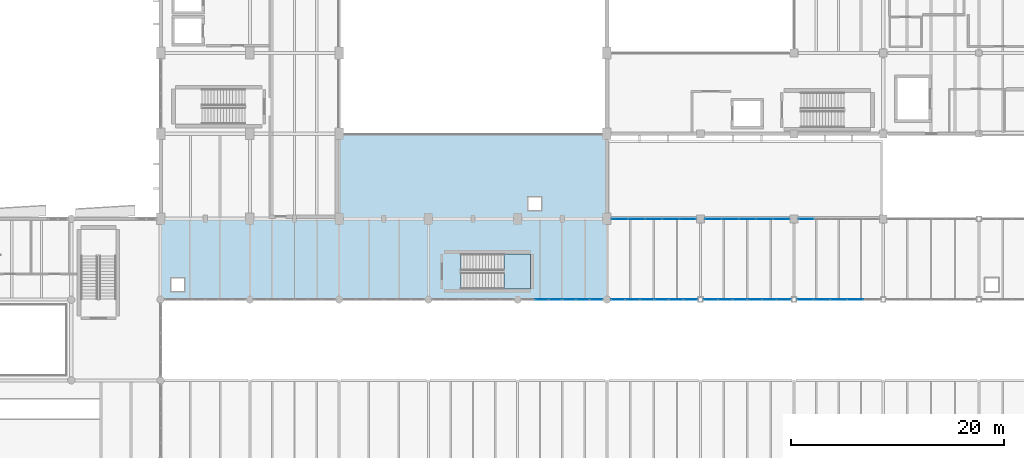
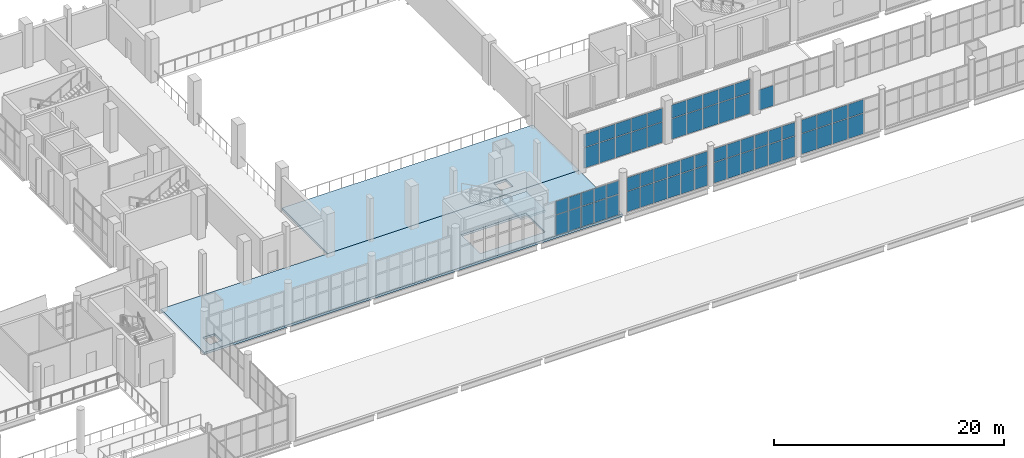
# One storey, part 103 of 136: 63 plates, 3 slabs, 9 elements without a shape of their own.
"""IFC4 building model written with IfcOpenShell, lengths in metres."""

from ifc_helpers import new_model, si_unit, direction, frame, origin, origin_2d, place, context, subcontext, project, spatial, polyline, rectangle, outline, extrude, material, layer, layer_set, type_object, element, aggregate, save


model = new_model("IFC4")

# Units and contexts
model_context = context("Model", 3, precision=1e-05, world=origin(), true_north=direction((0.0, 1.0)))
body_context = subcontext(model_context, "Body", "Model", "MODEL_VIEW")
ifc_project = project(units=[si_unit("LENGTHUNIT", "METRE"), si_unit("AREAUNIT", "SQUARE_METRE"), si_unit("VOLUMEUNIT", "CUBIC_METRE"), si_unit("PLANEANGLEUNIT", "RADIAN"), si_unit("MASSUNIT", "GRAM", prefix="KILO")], contexts=[model_context])

# Site, building, storey
site_placement = place(None, origin())
site = spatial("IfcSite", under=ifc_project, at=site_placement, CompositionType="ELEMENT")
building_placement = place(site_placement, origin())
building = spatial("IfcBuilding", under=site, at=building_placement, Name="Shengluoqiao Park Theatre", CompositionType="ELEMENT")
storey_placement = place(building_placement, frame((0.0, 0.0, 10.0)))
storey = spatial("IfcBuildingStorey", under=building, at=storey_placement, Name="L02", CompositionType="ELEMENT", Elevation=10.0)

# Curtain wall, plates
ifc_material_1 = material(Name="Aluminium 6063-T6", Category="aluminium")
curtain_wall_type_1 = type_object("IfcCurtainWallType", Name="ENV-CW-PROM", PredefinedType="NOTDEFINED", material=ifc_material_1)
curtain_wall_1_placement = place(storey_placement, origin())
curtain_wall_1 = element("IfcCurtainWall", 1, at=curtain_wall_1_placement, inside=storey, type_object=curtain_wall_type_1, Name="L02 Curtain Wall CW-L02-0074", PredefinedType="NOTDEFINED")
ifc_material_2 = material(Name="Insulated glass", Category="glass")
ifc_layer_1 = layer(ifc_material_2, 0.0380859375, Name="Insulated glass")
ifc_layer_set_1 = layer_set([ifc_layer_1], Name="Insulated glass")
plate_type = type_object("IfcPlateType", Name="ENV-GLZ-GL-38", PredefinedType="CURTAIN_PANEL", material=ifc_layer_set_1)
plate_1_placement = place(storey_placement, frame((80.277099609375, 68.39990234375, 0.06494140625), z_axis=(0.0, 0.0, 1.0), x_axis=(1.0, 0.0, 0.0)))
plate_1 = element("IfcPlate", 2, at=plate_1_placement, type_object=plate_type, Name="CW-04 panel 2.1", PredefinedType="CURTAIN_PANEL", context=body_context, shape_type="SweptSolid", body=[
    extrude(rectangle(XDim=1.217041015625, YDim=0.0380859375, at=origin_2d()), origin(), (0.0, 0.0, 1.0), 2.1474609375),
])
plate_2_placement = place(storey_placement, frame((80.277099609375, 68.39990234375, 2.277587890625), z_axis=(0.0, 0.0, 1.0), x_axis=(1.0, 0.0, 0.0)))
plate_2 = element("IfcPlate", 3, at=plate_2_placement, type_object=plate_type, Name="CW-04 panel 2.2", PredefinedType="CURTAIN_PANEL", context=body_context, shape_type="SweptSolid", body=[
    extrude(rectangle(XDim=1.217041015625, YDim=0.0380859375, at=origin_2d()), origin(), (0.0, 0.0, 1.0), 1.3994140625),
])
plate_3_placement = place(storey_placement, frame((81.542724609375, 68.39990234375, 0.06494140625), z_axis=(0.0, 0.0, 1.0), x_axis=(1.0, 0.0, 0.0)))
plate_3 = element("IfcPlate", 4, at=plate_3_placement, type_object=plate_type, Name="CW-04 panel 3.1", PredefinedType="CURTAIN_PANEL", context=body_context, shape_type="SweptSolid", body=[
    extrude(rectangle(XDim=1.1845703125, YDim=0.0380859375, at=origin_2d()), origin(), (0.0, 0.0, 1.0), 2.1474609375),
])
plate_4_placement = place(storey_placement, frame((81.542724609375, 68.39990234375, 2.277587890625), z_axis=(0.0, 0.0, 1.0), x_axis=(1.0, 0.0, 0.0)))
plate_4 = element("IfcPlate", 5, at=plate_4_placement, type_object=plate_type, Name="CW-04 panel 3.2", PredefinedType="CURTAIN_PANEL", context=body_context, shape_type="SweptSolid", body=[
    extrude(rectangle(XDim=1.1845703125, YDim=0.0380859375, at=origin_2d()), origin(), (0.0, 0.0, 1.0), 1.3994140625),
])
aggregate(curtain_wall_1, [plate_1, plate_2, plate_3, plate_4])

curtain_wall_2_placement = place(storey_placement, origin())
curtain_wall_2 = element("IfcCurtainWall", 6, at=curtain_wall_2_placement, inside=storey, type_object=curtain_wall_type_1, Name="L02 Curtain Wall CW-L02-0075", PredefinedType="NOTDEFINED")
plate_5_placement = place(storey_placement, frame((82.857177734375, 68.39990234375, 0.06494140625), z_axis=(0.0, 0.0, 1.0), x_axis=(1.0, 0.0, 0.0)))
plate_5 = element("IfcPlate", 7, at=plate_5_placement, type_object=plate_type, Name="CW-04 panel 1.1", PredefinedType="CURTAIN_PANEL", context=body_context, shape_type="SweptSolid", body=[
    extrude(rectangle(XDim=1.1845703125, YDim=0.0380859375, at=origin_2d()), origin(), (0.0, 0.0, 1.0), 2.1474609375),
])
plate_6_placement = place(storey_placement, frame((82.857177734375, 68.39990234375, 2.277587890625), z_axis=(0.0, 0.0, 1.0), x_axis=(1.0, 0.0, 0.0)))
plate_6 = element("IfcPlate", 8, at=plate_6_placement, type_object=plate_type, Name="CW-04 panel 1.2", PredefinedType="CURTAIN_PANEL", context=body_context, shape_type="SweptSolid", body=[
    extrude(rectangle(XDim=1.1845703125, YDim=0.0380859375, at=origin_2d()), origin(), (0.0, 0.0, 1.0), 1.3994140625),
])
plate_7_placement = place(storey_placement, frame((84.123046875, 68.39990234375, 0.06494140625), z_axis=(0.0, 0.0, 1.0), x_axis=(1.0, 0.0, 0.0)))
plate_7 = element("IfcPlate", 9, at=plate_7_placement, type_object=plate_type, Name="CW-04 panel 2.1", PredefinedType="CURTAIN_PANEL", context=body_context, shape_type="SweptSolid", body=[
    extrude(rectangle(XDim=1.217041015625, YDim=0.0380859375, at=origin_2d()), origin(), (0.0, 0.0, 1.0), 2.1474609375),
])
plate_8_placement = place(storey_placement, frame((84.123046875, 68.39990234375, 2.277587890625), z_axis=(0.0, 0.0, 1.0), x_axis=(1.0, 0.0, 0.0)))
plate_8 = element("IfcPlate", 10, at=plate_8_placement, type_object=plate_type, Name="CW-04 panel 2.2", PredefinedType="CURTAIN_PANEL", context=body_context, shape_type="SweptSolid", body=[
    extrude(rectangle(XDim=1.217041015625, YDim=0.0380859375, at=origin_2d()), origin(), (0.0, 0.0, 1.0), 1.3994140625),
])
plate_9_placement = place(storey_placement, frame((85.388671875, 68.39990234375, 0.06494140625), z_axis=(0.0, 0.0, 1.0), x_axis=(1.0, 0.0, 0.0)))
plate_9 = element("IfcPlate", 11, at=plate_9_placement, type_object=plate_type, Name="CW-04 panel 3.1", PredefinedType="CURTAIN_PANEL", context=body_context, shape_type="SweptSolid", body=[
    extrude(rectangle(XDim=1.1845703125, YDim=0.0380859375, at=origin_2d()), origin(), (0.0, 0.0, 1.0), 2.1474609375),
])
plate_10_placement = place(storey_placement, frame((85.388671875, 68.39990234375, 2.277587890625), z_axis=(0.0, 0.0, 1.0), x_axis=(1.0, 0.0, 0.0)))
plate_10 = element("IfcPlate", 12, at=plate_10_placement, type_object=plate_type, Name="CW-04 panel 3.2", PredefinedType="CURTAIN_PANEL", context=body_context, shape_type="SweptSolid", body=[
    extrude(rectangle(XDim=1.1845703125, YDim=0.0380859375, at=origin_2d()), origin(), (0.0, 0.0, 1.0), 1.3994140625),
])
aggregate(curtain_wall_2, [plate_5, plate_6, plate_7, plate_8, plate_9, plate_10])

curtain_wall_type_2 = type_object("IfcCurtainWallType", Name="ENV-CW-BRIDGE", PredefinedType="NOTDEFINED", material=ifc_material_1)
curtain_wall_3_placement = place(storey_placement, origin())
curtain_wall_3 = element("IfcCurtainWall", 13, at=curtain_wall_3_placement, inside=storey, type_object=curtain_wall_type_2, Name="L02 Curtain Wall CWX-L02-0107", PredefinedType="NOTDEFINED")
plate_11_placement = place(storey_placement, frame((87.451416015625, 68.39990234375, 0.06005859375), z_axis=(0.0, 0.0, 1.0), x_axis=(1.0, 0.0, 0.0)))
plate_11 = element("IfcPlate", 14, at=plate_11_placement, type_object=plate_type, Name="CW-03 panel 1.1", PredefinedType="CURTAIN_PANEL", context=body_context, shape_type="SweptSolid", body=[
    extrude(rectangle(XDim=1.274658203125, YDim=0.0380859375, at=origin_2d()), origin(), (0.0, 0.0, 1.0), 2.155029296875),
])
plate_12_placement = place(storey_placement, frame((87.451416015625, 68.39990234375, 2.27490234375), z_axis=(0.0, 0.0, 1.0), x_axis=(1.0, 0.0, 0.0)))
plate_12 = element("IfcPlate", 15, at=plate_12_placement, type_object=plate_type, Name="CW-03 panel 1.2", PredefinedType="CURTAIN_PANEL", context=body_context, shape_type="SweptSolid", body=[
    extrude(rectangle(XDim=1.274658203125, YDim=0.0380859375, at=origin_2d()), origin(), (0.0, 0.0, 1.0), 1.406982421875),
])
plate_13_placement = place(storey_placement, frame((88.801025390625, 68.39990234375, 0.06005859375), z_axis=(0.0, 0.0, 1.0), x_axis=(1.0, 0.0, 0.0)))
plate_13 = element("IfcPlate", 16, at=plate_13_placement, type_object=plate_type, Name="CW-03 panel 2.1", PredefinedType="CURTAIN_PANEL", context=body_context, shape_type="SweptSolid", body=[
    extrude(rectangle(XDim=1.3046875, YDim=0.0380859375, at=origin_2d()), origin(), (0.0, 0.0, 1.0), 2.155029296875),
])
plate_14_placement = place(storey_placement, frame((88.801025390625, 68.39990234375, 2.27490234375), z_axis=(0.0, 0.0, 1.0), x_axis=(1.0, 0.0, 0.0)))
plate_14 = element("IfcPlate", 17, at=plate_14_placement, type_object=plate_type, Name="CW-03 panel 2.2", PredefinedType="CURTAIN_PANEL", context=body_context, shape_type="SweptSolid", body=[
    extrude(rectangle(XDim=1.3046875, YDim=0.0380859375, at=origin_2d()), origin(), (0.0, 0.0, 1.0), 1.406982421875),
])
plate_15_placement = place(storey_placement, frame((90.165771484375, 68.39990234375, 0.06005859375), z_axis=(0.0, 0.0, 1.0), x_axis=(1.0, 0.0, 0.0)))
plate_15 = element("IfcPlate", 18, at=plate_15_placement, type_object=plate_type, Name="CW-03 panel 3.1", PredefinedType="CURTAIN_PANEL", context=body_context, shape_type="SweptSolid", body=[
    extrude(rectangle(XDim=1.3046875, YDim=0.0380859375, at=origin_2d()), origin(), (0.0, 0.0, 1.0), 2.155029296875),
])
plate_16_placement = place(storey_placement, frame((90.165771484375, 68.39990234375, 2.27490234375), z_axis=(0.0, 0.0, 1.0), x_axis=(1.0, 0.0, 0.0)))
plate_16 = element("IfcPlate", 19, at=plate_16_placement, type_object=plate_type, Name="CW-03 panel 3.2", PredefinedType="CURTAIN_PANEL", context=body_context, shape_type="SweptSolid", body=[
    extrude(rectangle(XDim=1.3046875, YDim=0.0380859375, at=origin_2d()), origin(), (0.0, 0.0, 1.0), 1.406982421875),
])
plate_17_placement = place(storey_placement, frame((91.5302734375, 68.39990234375, 0.06005859375), z_axis=(0.0, 0.0, 1.0), x_axis=(1.0, 0.0, 0.0)))
plate_17 = element("IfcPlate", 20, at=plate_17_placement, type_object=plate_type, Name="CW-03 panel 4.1", PredefinedType="CURTAIN_PANEL", context=body_context, shape_type="SweptSolid", body=[
    extrude(rectangle(XDim=1.3046875, YDim=0.0380859375, at=origin_2d()), origin(), (0.0, 0.0, 1.0), 2.155029296875),
])
plate_18_placement = place(storey_placement, frame((91.5302734375, 68.39990234375, 2.27490234375), z_axis=(0.0, 0.0, 1.0), x_axis=(1.0, 0.0, 0.0)))
plate_18 = element("IfcPlate", 21, at=plate_18_placement, type_object=plate_type, Name="CW-03 panel 4.2", PredefinedType="CURTAIN_PANEL", context=body_context, shape_type="SweptSolid", body=[
    extrude(rectangle(XDim=1.3046875, YDim=0.0380859375, at=origin_2d()), origin(), (0.0, 0.0, 1.0), 1.406982421875),
])
plate_19_placement = place(storey_placement, frame((92.89501953125, 68.39990234375, 0.06005859375), z_axis=(0.0, 0.0, 1.0), x_axis=(1.0, 0.0, 0.0)))
plate_19 = element("IfcPlate", 22, at=plate_19_placement, type_object=plate_type, Name="CW-03 panel 5.1", PredefinedType="CURTAIN_PANEL", context=body_context, shape_type="SweptSolid", body=[
    extrude(rectangle(XDim=1.3046875, YDim=0.0380859375, at=origin_2d()), origin(), (0.0, 0.0, 1.0), 2.155029296875),
])
plate_20_placement = place(storey_placement, frame((92.89501953125, 68.39990234375, 2.27490234375), z_axis=(0.0, 0.0, 1.0), x_axis=(1.0, 0.0, 0.0)))
plate_20 = element("IfcPlate", 23, at=plate_20_placement, type_object=plate_type, Name="CW-03 panel 5.2", PredefinedType="CURTAIN_PANEL", context=body_context, shape_type="SweptSolid", body=[
    extrude(rectangle(XDim=1.3046875, YDim=0.0380859375, at=origin_2d()), origin(), (0.0, 0.0, 1.0), 1.406982421875),
])
plate_21_placement = place(storey_placement, frame((94.24462890625, 68.39990234375, 0.06005859375), z_axis=(0.0, 0.0, 1.0), x_axis=(1.0, 0.0, 0.0)))
plate_21 = element("IfcPlate", 24, at=plate_21_placement, type_object=plate_type, Name="CW-03 panel 6.1", PredefinedType="CURTAIN_PANEL", context=body_context, shape_type="SweptSolid", body=[
    extrude(rectangle(XDim=1.274658203125, YDim=0.0380859375, at=origin_2d()), origin(), (0.0, 0.0, 1.0), 2.155029296875),
])
plate_22_placement = place(storey_placement, frame((94.24462890625, 68.39990234375, 2.27490234375), z_axis=(0.0, 0.0, 1.0), x_axis=(1.0, 0.0, 0.0)))
plate_22 = element("IfcPlate", 25, at=plate_22_placement, type_object=plate_type, Name="CW-03 panel 6.2", PredefinedType="CURTAIN_PANEL", context=body_context, shape_type="SweptSolid", body=[
    extrude(rectangle(XDim=1.274658203125, YDim=0.0380859375, at=origin_2d()), origin(), (0.0, 0.0, 1.0), 1.406982421875),
])
aggregate(curtain_wall_3, [plate_11, plate_12, plate_13, plate_14, plate_15, plate_16, plate_17, plate_18, plate_19, plate_20, plate_21, plate_22])

curtain_wall_4_placement = place(storey_placement, origin())
curtain_wall_4 = element("IfcCurtainWall", 26, at=curtain_wall_4_placement, inside=storey, type_object=curtain_wall_type_2, Name="L02 Curtain Wall CWX-L02-0108", PredefinedType="NOTDEFINED")
plate_23_placement = place(storey_placement, frame((96.163330078125, 68.39990234375, 0.06005859375), z_axis=(0.0, 0.0, 1.0), x_axis=(1.0, 0.0, 0.0)))
plate_23 = element("IfcPlate", 27, at=plate_23_placement, type_object=plate_type, Name="CW-03 panel 1.1", PredefinedType="CURTAIN_PANEL", context=body_context, shape_type="SweptSolid", body=[
    extrude(rectangle(XDim=1.290771484375, YDim=0.0380859375, at=origin_2d()), origin(), (0.0, 0.0, 1.0), 2.160888671875),
])
plate_24_placement = place(storey_placement, frame((96.163330078125, 68.39990234375, 2.28125), z_axis=(0.0, 0.0, 1.0), x_axis=(1.0, 0.0, 0.0)))
plate_24 = element("IfcPlate", 28, at=plate_24_placement, type_object=plate_type, Name="CW-03 panel 1.2", PredefinedType="CURTAIN_PANEL", context=body_context, shape_type="SweptSolid", body=[
    extrude(rectangle(XDim=1.290771484375, YDim=0.0380859375, at=origin_2d()), origin(), (0.0, 0.0, 1.0), 1.410888671875),
])
plate_25_placement = place(storey_placement, frame((97.529052734375, 68.39990234375, 0.06005859375), z_axis=(0.0, 0.0, 1.0), x_axis=(1.0, 0.0, 0.0)))
plate_25 = element("IfcPlate", 29, at=plate_25_placement, type_object=plate_type, Name="CW-03 panel 2.1", PredefinedType="CURTAIN_PANEL", context=body_context, shape_type="SweptSolid", body=[
    extrude(rectangle(XDim=1.320556640625, YDim=0.0380859375, at=origin_2d()), origin(), (0.0, 0.0, 1.0), 2.160888671875),
])
plate_26_placement = place(storey_placement, frame((97.529052734375, 68.39990234375, 2.28125), z_axis=(0.0, 0.0, 1.0), x_axis=(1.0, 0.0, 0.0)))
plate_26 = element("IfcPlate", 30, at=plate_26_placement, type_object=plate_type, Name="CW-03 panel 2.2", PredefinedType="CURTAIN_PANEL", context=body_context, shape_type="SweptSolid", body=[
    extrude(rectangle(XDim=1.320556640625, YDim=0.0380859375, at=origin_2d()), origin(), (0.0, 0.0, 1.0), 1.410888671875),
])
plate_27_placement = place(storey_placement, frame((98.90966796875, 68.39990234375, 0.06005859375), z_axis=(0.0, 0.0, 1.0), x_axis=(1.0, 0.0, 0.0)))
plate_27 = element("IfcPlate", 31, at=plate_27_placement, type_object=plate_type, Name="CW-03 panel 3.1", PredefinedType="CURTAIN_PANEL", context=body_context, shape_type="SweptSolid", body=[
    extrude(rectangle(XDim=1.320556640625, YDim=0.0380859375, at=origin_2d()), origin(), (0.0, 0.0, 1.0), 2.160888671875),
])
plate_28_placement = place(storey_placement, frame((98.90966796875, 68.39990234375, 2.28125), z_axis=(0.0, 0.0, 1.0), x_axis=(1.0, 0.0, 0.0)))
plate_28 = element("IfcPlate", 32, at=plate_28_placement, type_object=plate_type, Name="CW-03 panel 3.2", PredefinedType="CURTAIN_PANEL", context=body_context, shape_type="SweptSolid", body=[
    extrude(rectangle(XDim=1.320556640625, YDim=0.0380859375, at=origin_2d()), origin(), (0.0, 0.0, 1.0), 1.410888671875),
])
plate_29_placement = place(storey_placement, frame((100.290283203125, 68.39990234375, 0.06005859375), z_axis=(0.0, 0.0, 1.0), x_axis=(1.0, 0.0, 0.0)))
plate_29 = element("IfcPlate", 33, at=plate_29_placement, type_object=plate_type, Name="CW-03 panel 4.1", PredefinedType="CURTAIN_PANEL", context=body_context, shape_type="SweptSolid", body=[
    extrude(rectangle(XDim=1.320556640625, YDim=0.0380859375, at=origin_2d()), origin(), (0.0, 0.0, 1.0), 2.160888671875),
])
plate_30_placement = place(storey_placement, frame((100.290283203125, 68.39990234375, 2.28125), z_axis=(0.0, 0.0, 1.0), x_axis=(1.0, 0.0, 0.0)))
plate_30 = element("IfcPlate", 34, at=plate_30_placement, type_object=plate_type, Name="CW-03 panel 4.2", PredefinedType="CURTAIN_PANEL", context=body_context, shape_type="SweptSolid", body=[
    extrude(rectangle(XDim=1.320556640625, YDim=0.0380859375, at=origin_2d()), origin(), (0.0, 0.0, 1.0), 1.410888671875),
])
plate_31_placement = place(storey_placement, frame((101.6708984375, 68.39990234375, 0.06005859375), z_axis=(0.0, 0.0, 1.0), x_axis=(1.0, 0.0, 0.0)))
plate_31 = element("IfcPlate", 35, at=plate_31_placement, type_object=plate_type, Name="CW-03 panel 5.1", PredefinedType="CURTAIN_PANEL", context=body_context, shape_type="SweptSolid", body=[
    extrude(rectangle(XDim=1.320556640625, YDim=0.0380859375, at=origin_2d()), origin(), (0.0, 0.0, 1.0), 2.160888671875),
])
plate_32_placement = place(storey_placement, frame((101.6708984375, 68.39990234375, 2.28125), z_axis=(0.0, 0.0, 1.0), x_axis=(1.0, 0.0, 0.0)))
plate_32 = element("IfcPlate", 36, at=plate_32_placement, type_object=plate_type, Name="CW-03 panel 5.2", PredefinedType="CURTAIN_PANEL", context=body_context, shape_type="SweptSolid", body=[
    extrude(rectangle(XDim=1.320556640625, YDim=0.0380859375, at=origin_2d()), origin(), (0.0, 0.0, 1.0), 1.410888671875),
])
plate_33_placement = place(storey_placement, frame((103.03662109375, 68.39990234375, 0.06005859375), z_axis=(0.0, 0.0, 1.0), x_axis=(1.0, 0.0, 0.0)))
plate_33 = element("IfcPlate", 37, at=plate_33_placement, type_object=plate_type, Name="CW-03 panel 6.1", PredefinedType="CURTAIN_PANEL", context=body_context, shape_type="SweptSolid", body=[
    extrude(rectangle(XDim=1.290771484375, YDim=0.0380859375, at=origin_2d()), origin(), (0.0, 0.0, 1.0), 2.160888671875),
])
plate_34_placement = place(storey_placement, frame((103.03662109375, 68.39990234375, 2.28125), z_axis=(0.0, 0.0, 1.0), x_axis=(1.0, 0.0, 0.0)))
plate_34 = element("IfcPlate", 38, at=plate_34_placement, type_object=plate_type, Name="CW-03 panel 6.2", PredefinedType="CURTAIN_PANEL", context=body_context, shape_type="SweptSolid", body=[
    extrude(rectangle(XDim=1.290771484375, YDim=0.0380859375, at=origin_2d()), origin(), (0.0, 0.0, 1.0), 1.410888671875),
])
aggregate(curtain_wall_4, [plate_23, plate_24, plate_25, plate_26, plate_27, plate_28, plate_29, plate_30, plate_31, plate_32, plate_33, plate_34])

curtain_wall_5_placement = place(storey_placement, origin())
curtain_wall_5 = element("IfcCurtainWall", 39, at=curtain_wall_5_placement, inside=storey, type_object=curtain_wall_type_2, Name="L02 Curtain Wall CWX-L02-0109", PredefinedType="NOTDEFINED")
plate_35_placement = place(storey_placement, frame((105.061279296875, 68.39990234375, 0.06005859375), z_axis=(0.0, 0.0, 1.0), x_axis=(1.0, 0.0, 0.0)))
plate_35 = element("IfcPlate", 40, at=plate_35_placement, type_object=plate_type, Name="CW-03 panel 1.1", PredefinedType="CURTAIN_PANEL", context=body_context, shape_type="SweptSolid", body=[
    extrude(rectangle(XDim=1.48681640625, YDim=0.0380859375, at=origin_2d()), origin(), (0.0, 0.0, 1.0), 2.160888671875),
])
plate_36_placement = place(storey_placement, frame((105.061279296875, 68.39990234375, 2.28125), z_axis=(0.0, 0.0, 1.0), x_axis=(1.0, 0.0, 0.0)))
plate_36 = element("IfcPlate", 41, at=plate_36_placement, type_object=plate_type, Name="CW-03 panel 1.2", PredefinedType="CURTAIN_PANEL", context=body_context, shape_type="SweptSolid", body=[
    extrude(rectangle(XDim=1.48681640625, YDim=0.0380859375, at=origin_2d()), origin(), (0.0, 0.0, 1.0), 1.410888671875),
])
plate_37_placement = place(storey_placement, frame((106.623291015625, 68.39990234375, 0.06005859375), z_axis=(0.0, 0.0, 1.0), x_axis=(1.0, 0.0, 0.0)))
plate_37 = element("IfcPlate", 42, at=plate_37_placement, type_object=plate_type, Name="CW-03 panel 2.1", PredefinedType="CURTAIN_PANEL", context=body_context, shape_type="SweptSolid", body=[
    extrude(rectangle(XDim=1.516845703125, YDim=0.0380859375, at=origin_2d()), origin(), (0.0, 0.0, 1.0), 2.160888671875),
])
plate_38_placement = place(storey_placement, frame((106.623291015625, 68.39990234375, 2.28125), z_axis=(0.0, 0.0, 1.0), x_axis=(1.0, 0.0, 0.0)))
plate_38 = element("IfcPlate", 43, at=plate_38_placement, type_object=plate_type, Name="CW-03 panel 2.2", PredefinedType="CURTAIN_PANEL", context=body_context, shape_type="SweptSolid", body=[
    extrude(rectangle(XDim=1.516845703125, YDim=0.0380859375, at=origin_2d()), origin(), (0.0, 0.0, 1.0), 1.410888671875),
])
plate_39_placement = place(storey_placement, frame((108.199951171875, 68.39990234375, 0.06005859375), z_axis=(0.0, 0.0, 1.0), x_axis=(1.0, 0.0, 0.0)))
plate_39 = element("IfcPlate", 44, at=plate_39_placement, type_object=plate_type, Name="CW-03 panel 3.1", PredefinedType="CURTAIN_PANEL", context=body_context, shape_type="SweptSolid", body=[
    extrude(rectangle(XDim=1.516845703125, YDim=0.0380859375, at=origin_2d()), origin(), (0.0, 0.0, 1.0), 2.160888671875),
])
plate_40_placement = place(storey_placement, frame((108.199951171875, 68.39990234375, 2.28125), z_axis=(0.0, 0.0, 1.0), x_axis=(1.0, 0.0, 0.0)))
plate_40 = element("IfcPlate", 45, at=plate_40_placement, type_object=plate_type, Name="CW-03 panel 3.2", PredefinedType="CURTAIN_PANEL", context=body_context, shape_type="SweptSolid", body=[
    extrude(rectangle(XDim=1.516845703125, YDim=0.0380859375, at=origin_2d()), origin(), (0.0, 0.0, 1.0), 1.410888671875),
])
plate_41_placement = place(storey_placement, frame((109.77685546875, 68.39990234375, 0.06005859375), z_axis=(0.0, 0.0, 1.0), x_axis=(1.0, 0.0, 0.0)))
plate_41 = element("IfcPlate", 46, at=plate_41_placement, type_object=plate_type, Name="CW-03 panel 4.1", PredefinedType="CURTAIN_PANEL", context=body_context, shape_type="SweptSolid", body=[
    extrude(rectangle(XDim=1.516845703125, YDim=0.0380859375, at=origin_2d()), origin(), (0.0, 0.0, 1.0), 2.160888671875),
])
plate_42_placement = place(storey_placement, frame((109.77685546875, 68.39990234375, 2.28125), z_axis=(0.0, 0.0, 1.0), x_axis=(1.0, 0.0, 0.0)))
plate_42 = element("IfcPlate", 47, at=plate_42_placement, type_object=plate_type, Name="CW-03 panel 4.2", PredefinedType="CURTAIN_PANEL", context=body_context, shape_type="SweptSolid", body=[
    extrude(rectangle(XDim=1.516845703125, YDim=0.0380859375, at=origin_2d()), origin(), (0.0, 0.0, 1.0), 1.410888671875),
])
aggregate(curtain_wall_5, [plate_35, plate_36, plate_37, plate_38, plate_39, plate_40, plate_41, plate_42])

curtain_wall_6_placement = place(storey_placement, origin())
curtain_wall_6 = element("IfcCurtainWall", 48, at=curtain_wall_6_placement, inside=storey, type_object=curtain_wall_type_2, Name="L02 Curtain Wall CWX-L02-0115", PredefinedType="NOTDEFINED")
plate_43_placement = place(storey_placement, frame((87.62060546875, 76.0, 0.06005859375), z_axis=(0.0, 0.0, 1.0), x_axis=(1.0, 0.0, 0.0)))
plate_43 = element("IfcPlate", 49, at=plate_43_placement, type_object=plate_type, Name="CW-03 panel 1.1", PredefinedType="CURTAIN_PANEL", context=body_context, shape_type="SweptSolid", body=[
    extrude(rectangle(XDim=1.513427734375, YDim=0.0380859375, at=origin_2d()), origin(), (0.0, 0.0, 1.0), 2.14892578125),
])
plate_44_placement = place(storey_placement, frame((87.62060546875, 76.0, 2.26904296875), z_axis=(0.0, 0.0, 1.0), x_axis=(1.0, 0.0, 0.0)))
plate_44 = element("IfcPlate", 50, at=plate_44_placement, type_object=plate_type, Name="CW-03 panel 1.2", PredefinedType="CURTAIN_PANEL", context=body_context, shape_type="SweptSolid", body=[
    extrude(rectangle(XDim=1.513427734375, YDim=0.0380859375, at=origin_2d()), origin(), (0.0, 0.0, 1.0), 1.403076171875),
])
plate_45_placement = place(storey_placement, frame((89.208984375, 76.0, 0.06005859375), z_axis=(0.0, 0.0, 1.0), x_axis=(1.0, 0.0, 0.0)))
plate_45 = element("IfcPlate", 51, at=plate_45_placement, type_object=plate_type, Name="CW-03 panel 2.1", PredefinedType="CURTAIN_PANEL", context=body_context, shape_type="SweptSolid", body=[
    extrude(rectangle(XDim=1.54345703125, YDim=0.0380859375, at=origin_2d()), origin(), (0.0, 0.0, 1.0), 2.14892578125),
])
plate_46_placement = place(storey_placement, frame((89.208984375, 76.0, 2.26904296875), z_axis=(0.0, 0.0, 1.0), x_axis=(1.0, 0.0, 0.0)))
plate_46 = element("IfcPlate", 52, at=plate_46_placement, type_object=plate_type, Name="CW-03 panel 2.2", PredefinedType="CURTAIN_PANEL", context=body_context, shape_type="SweptSolid", body=[
    extrude(rectangle(XDim=1.54345703125, YDim=0.0380859375, at=origin_2d()), origin(), (0.0, 0.0, 1.0), 1.403076171875),
])
plate_47_placement = place(storey_placement, frame((90.8125, 76.0, 0.06005859375), z_axis=(0.0, 0.0, 1.0), x_axis=(1.0, 0.0, 0.0)))
plate_47 = element("IfcPlate", 53, at=plate_47_placement, type_object=plate_type, Name="CW-03 panel 3.1", PredefinedType="CURTAIN_PANEL", context=body_context, shape_type="SweptSolid", body=[
    extrude(rectangle(XDim=1.54345703125, YDim=0.0380859375, at=origin_2d()), origin(), (0.0, 0.0, 1.0), 2.14892578125),
])
plate_48_placement = place(storey_placement, frame((90.8125, 76.0, 2.26904296875), z_axis=(0.0, 0.0, 1.0), x_axis=(1.0, 0.0, 0.0)))
plate_48 = element("IfcPlate", 54, at=plate_48_placement, type_object=plate_type, Name="CW-03 panel 3.2", PredefinedType="CURTAIN_PANEL", context=body_context, shape_type="SweptSolid", body=[
    extrude(rectangle(XDim=1.54345703125, YDim=0.0380859375, at=origin_2d()), origin(), (0.0, 0.0, 1.0), 1.403076171875),
])
plate_49_placement = place(storey_placement, frame((92.416015625, 76.0, 0.06005859375), z_axis=(0.0, 0.0, 1.0), x_axis=(1.0, 0.0, 0.0)))
plate_49 = element("IfcPlate", 55, at=plate_49_placement, type_object=plate_type, Name="CW-03 panel 4.1", PredefinedType="CURTAIN_PANEL", context=body_context, shape_type="SweptSolid", body=[
    extrude(rectangle(XDim=1.54345703125, YDim=0.0380859375, at=origin_2d()), origin(), (0.0, 0.0, 1.0), 2.14892578125),
])
plate_50_placement = place(storey_placement, frame((92.416015625, 76.0, 2.26904296875), z_axis=(0.0, 0.0, 1.0), x_axis=(1.0, 0.0, 0.0)))
plate_50 = element("IfcPlate", 56, at=plate_50_placement, type_object=plate_type, Name="CW-03 panel 4.2", PredefinedType="CURTAIN_PANEL", context=body_context, shape_type="SweptSolid", body=[
    extrude(rectangle(XDim=1.54345703125, YDim=0.0380859375, at=origin_2d()), origin(), (0.0, 0.0, 1.0), 1.403076171875),
])
plate_51_placement = place(storey_placement, frame((94.00439453125, 76.0, 0.06005859375), z_axis=(0.0, 0.0, 1.0), x_axis=(1.0, 0.0, 0.0)))
plate_51 = element("IfcPlate", 57, at=plate_51_placement, type_object=plate_type, Name="CW-03 panel 5.1", PredefinedType="CURTAIN_PANEL", context=body_context, shape_type="SweptSolid", body=[
    extrude(rectangle(XDim=1.513427734375, YDim=0.0380859375, at=origin_2d()), origin(), (0.0, 0.0, 1.0), 2.14892578125),
])
plate_52_placement = place(storey_placement, frame((94.00439453125, 76.0, 2.26904296875), z_axis=(0.0, 0.0, 1.0), x_axis=(1.0, 0.0, 0.0)))
plate_52 = element("IfcPlate", 58, at=plate_52_placement, type_object=plate_type, Name="CW-03 panel 5.2", PredefinedType="CURTAIN_PANEL", context=body_context, shape_type="SweptSolid", body=[
    extrude(rectangle(XDim=1.513427734375, YDim=0.0380859375, at=origin_2d()), origin(), (0.0, 0.0, 1.0), 1.403076171875),
])
aggregate(curtain_wall_6, [plate_43, plate_44, plate_45, plate_46, plate_47, plate_48, plate_49, plate_50, plate_51, plate_52])

curtain_wall_7_placement = place(storey_placement, origin())
curtain_wall_7 = element("IfcCurtainWall", 59, at=curtain_wall_7_placement, inside=storey, type_object=curtain_wall_type_2, Name="L02 Curtain Wall CWX-L02-0116", PredefinedType="NOTDEFINED")
plate_53_placement = place(storey_placement, frame((96.398193359375, 76.0, 0.06005859375), z_axis=(0.0, 0.0, 1.0), x_axis=(1.0, 0.0, 0.0)))
plate_53 = element("IfcPlate", 60, at=plate_53_placement, type_object=plate_type, Name="CW-03 panel 1.1", PredefinedType="CURTAIN_PANEL", context=body_context, shape_type="SweptSolid", body=[
    extrude(rectangle(XDim=1.518310546875, YDim=0.0380859375, at=origin_2d()), origin(), (0.0, 0.0, 1.0), 2.160888671875),
])
plate_54_placement = place(storey_placement, frame((96.398193359375, 76.0, 2.28125), z_axis=(0.0, 0.0, 1.0), x_axis=(1.0, 0.0, 0.0)))
plate_54 = element("IfcPlate", 61, at=plate_54_placement, type_object=plate_type, Name="CW-03 panel 1.2", PredefinedType="CURTAIN_PANEL", context=body_context, shape_type="SweptSolid", body=[
    extrude(rectangle(XDim=1.518310546875, YDim=0.0380859375, at=origin_2d()), origin(), (0.0, 0.0, 1.0), 1.410888671875),
])
plate_55_placement = place(storey_placement, frame((97.99169921875, 76.0, 0.06005859375), z_axis=(0.0, 0.0, 1.0), x_axis=(1.0, 0.0, 0.0)))
plate_55 = element("IfcPlate", 62, at=plate_55_placement, type_object=plate_type, Name="CW-03 panel 2.1", PredefinedType="CURTAIN_PANEL", context=body_context, shape_type="SweptSolid", body=[
    extrude(rectangle(XDim=1.54833984375, YDim=0.0380859375, at=origin_2d()), origin(), (0.0, 0.0, 1.0), 2.160888671875),
])
plate_56_placement = place(storey_placement, frame((97.99169921875, 76.0, 2.28125), z_axis=(0.0, 0.0, 1.0), x_axis=(1.0, 0.0, 0.0)))
plate_56 = element("IfcPlate", 63, at=plate_56_placement, type_object=plate_type, Name="CW-03 panel 2.2", PredefinedType="CURTAIN_PANEL", context=body_context, shape_type="SweptSolid", body=[
    extrude(rectangle(XDim=1.54833984375, YDim=0.0380859375, at=origin_2d()), origin(), (0.0, 0.0, 1.0), 1.410888671875),
])
plate_57_placement = place(storey_placement, frame((99.60009765625, 76.0, 0.06005859375), z_axis=(0.0, 0.0, 1.0), x_axis=(1.0, 0.0, 0.0)))
plate_57 = element("IfcPlate", 64, at=plate_57_placement, type_object=plate_type, Name="CW-03 panel 3.1", PredefinedType="CURTAIN_PANEL", context=body_context, shape_type="SweptSolid", body=[
    extrude(rectangle(XDim=1.54833984375, YDim=0.0380859375, at=origin_2d()), origin(), (0.0, 0.0, 1.0), 2.160888671875),
])
plate_58_placement = place(storey_placement, frame((99.60009765625, 76.0, 2.28125), z_axis=(0.0, 0.0, 1.0), x_axis=(1.0, 0.0, 0.0)))
plate_58 = element("IfcPlate", 65, at=plate_58_placement, type_object=plate_type, Name="CW-03 panel 3.2", PredefinedType="CURTAIN_PANEL", context=body_context, shape_type="SweptSolid", body=[
    extrude(rectangle(XDim=1.54833984375, YDim=0.0380859375, at=origin_2d()), origin(), (0.0, 0.0, 1.0), 1.410888671875),
])
plate_59_placement = place(storey_placement, frame((101.20849609375, 76.0, 0.06005859375), z_axis=(0.0, 0.0, 1.0), x_axis=(1.0, 0.0, 0.0)))
plate_59 = element("IfcPlate", 66, at=plate_59_placement, type_object=plate_type, Name="CW-03 panel 4.1", PredefinedType="CURTAIN_PANEL", context=body_context, shape_type="SweptSolid", body=[
    extrude(rectangle(XDim=1.54833984375, YDim=0.0380859375, at=origin_2d()), origin(), (0.0, 0.0, 1.0), 2.160888671875),
])
plate_60_placement = place(storey_placement, frame((101.20849609375, 76.0, 2.28125), z_axis=(0.0, 0.0, 1.0), x_axis=(1.0, 0.0, 0.0)))
plate_60 = element("IfcPlate", 67, at=plate_60_placement, type_object=plate_type, Name="CW-03 panel 4.2", PredefinedType="CURTAIN_PANEL", context=body_context, shape_type="SweptSolid", body=[
    extrude(rectangle(XDim=1.54833984375, YDim=0.0380859375, at=origin_2d()), origin(), (0.0, 0.0, 1.0), 1.410888671875),
])
plate_61_placement = place(storey_placement, frame((102.8017578125, 76.0, 0.06005859375), z_axis=(0.0, 0.0, 1.0), x_axis=(1.0, 0.0, 0.0)))
plate_61 = element("IfcPlate", 68, at=plate_61_placement, type_object=plate_type, Name="CW-03 panel 5.1", PredefinedType="CURTAIN_PANEL", context=body_context, shape_type="SweptSolid", body=[
    extrude(rectangle(XDim=1.518310546875, YDim=0.0380859375, at=origin_2d()), origin(), (0.0, 0.0, 1.0), 2.160888671875),
])
plate_62_placement = place(storey_placement, frame((102.8017578125, 76.0, 2.28125), z_axis=(0.0, 0.0, 1.0), x_axis=(1.0, 0.0, 0.0)))
plate_62 = element("IfcPlate", 69, at=plate_62_placement, type_object=plate_type, Name="CW-03 panel 5.2", PredefinedType="CURTAIN_PANEL", context=body_context, shape_type="SweptSolid", body=[
    extrude(rectangle(XDim=1.518310546875, YDim=0.0380859375, at=origin_2d()), origin(), (0.0, 0.0, 1.0), 1.410888671875),
])
aggregate(curtain_wall_7, [plate_53, plate_54, plate_55, plate_56, plate_57, plate_58, plate_59, plate_60, plate_61, plate_62])

# Curtain wall, plate
curtain_wall_8_placement = place(storey_placement, origin())
curtain_wall_8 = element("IfcCurtainWall", 70, at=curtain_wall_8_placement, inside=storey, type_object=curtain_wall_type_2, Name="L02 Curtain Wall CWX-L02-0117", PredefinedType="NOTDEFINED")
plate_63_placement = place(storey_placement, frame((105.158203125, 76.0, 0.06005859375), z_axis=(0.0, 0.0, 1.0), x_axis=(1.0, 0.0, 0.0)))
plate_63 = element("IfcPlate", 71, at=plate_63_placement, type_object=plate_type, Name="CW-03 panel 1.1", PredefinedType="CURTAIN_PANEL", context=body_context, shape_type="SweptSolid", body=[
    extrude(rectangle(XDim=1.4384765625, YDim=0.0380859375, at=origin_2d()), origin(), (0.0, 0.0, 1.0), 2.160888671875),
])
aggregate(curtain_wall_8, [plate_63])

# Stair, slab
ifc_material_3 = material(Name="Concrete C40", Category="concrete")
stair_type = type_object("IfcStairType", Name="INT-STR-CORE", PredefinedType="HALF_TURN_STAIR", material=ifc_material_3)
stair_placement = place(storey_placement, origin())
stair = element("IfcStair", 72, at=stair_placement, inside=storey, type_object=stair_type, Name="L02 South Promenade Escape Stair 11", PredefinedType="HALF_TURN_STAIR")
ifc_layer_2 = layer(ifc_material_3, 0.169921875, Name="Concrete C40")
ifc_layer_set_2 = layer_set([ifc_layer_2], Name="Concrete C40")
slab_type_1 = type_object("IfcSlabType", Name="INT-LND-SL-170", PredefinedType="LANDING", material=ifc_layer_set_2)
slab_1_placement = place(storey_placement, frame((0.0, 0.0, 2.10009765625)))
slab_1 = element("IfcSlab", 73, at=slab_1_placement, type_object=slab_type_1, Name="ST-11 landing 1", PredefinedType="LANDING", context=body_context, shape_type="SweptSolid", body=[
    extrude(outline(polyline([(76.7099609375, 69.39990234375), (79.199951171875, 69.39990234375), (79.199951171875, 72.699951171875), (76.7099609375, 72.699951171875), (76.7099609375, 69.39990234375)])), origin(), (0.0, 0.0, 1.0), 0.199951171875),
])
aggregate(stair, [slab_1])

# Slabs
ifc_material_4 = material(Name="Concrete C35", Category="concrete")
ifc_layer_3 = layer(ifc_material_4, 0.25, Name="Concrete C35")
ifc_layer_set_3 = layer_set([ifc_layer_3], Name="Concrete C35")
slab_type_2 = type_object("IfcSlabType", Name="STR-SLB-CAT250", PredefinedType="FLOOR", material=ifc_layer_set_3)
slab_2_placement = place(storey_placement, frame((0.0, 0.0, -0.25)))
element("IfcSlab", 74, at=slab_2_placement, inside=storey, type_object=slab_type_2, Name="Floor Slab L02-V1-BOXS", PredefinedType="FLOOR", context=body_context, shape_type="SweptSolid", body=[
    extrude(outline(polyline([(61.199951171875, 76.0), (61.199951171875, 84.0), (86.39990234375, 84.0), (86.39990234375, 76.0), (61.199951171875, 76.0)]), holes=[polyline([(80.219970703125, 76.800048828125), (80.219970703125, 78.02001953125), (79.0, 78.02001953125), (79.0, 76.800048828125), (80.219970703125, 76.800048828125)])]), origin(), (0.0, 0.0, 1.0), 0.25),
])
ifc_layer_4 = layer(ifc_material_4, 0.239990234375, Name="Concrete C35")
ifc_layer_set_4 = layer_set([ifc_layer_4], Name="Concrete C35")
slab_type_3 = type_object("IfcSlabType", Name="STR-SLB-FL240", PredefinedType="FLOOR", material=ifc_layer_set_4)
slab_3_placement = place(storey_placement, frame((0.0, 0.0, -0.239990234375)))
element("IfcSlab", 75, at=slab_3_placement, inside=storey, type_object=slab_type_3, Name="Floor Slab L02-V5-PROM", PredefinedType="FLOOR", context=body_context, shape_type="SweptSolid", body=[
    extrude(outline(polyline([(44.39990234375, 68.39990234375), (44.39990234375, 76.0), (86.39990234375, 76.0), (86.39990234375, 68.39990234375), (44.39990234375, 68.39990234375)]), holes=[polyline([(46.6201171875, 69.199951171875), (46.6201171875, 70.419921875), (45.39990234375, 70.419921875), (45.39990234375, 69.199951171875), (46.6201171875, 69.199951171875)]), polyline([(72.654052734375, 69.39990234375), (79.199951171875, 69.39990234375), (79.199951171875, 72.699951171875), (72.654052734375, 72.699951171875), (72.654052734375, 69.39990234375)])]), origin(), (0.0, 0.0, 1.0), 0.239990234375),
])

save(model, "model.ifc")
